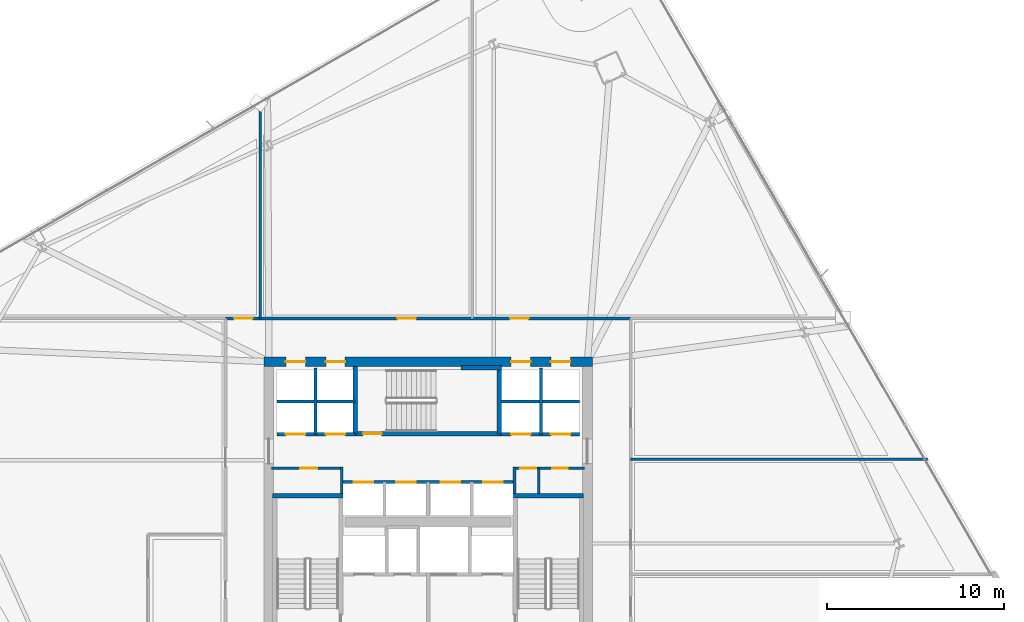
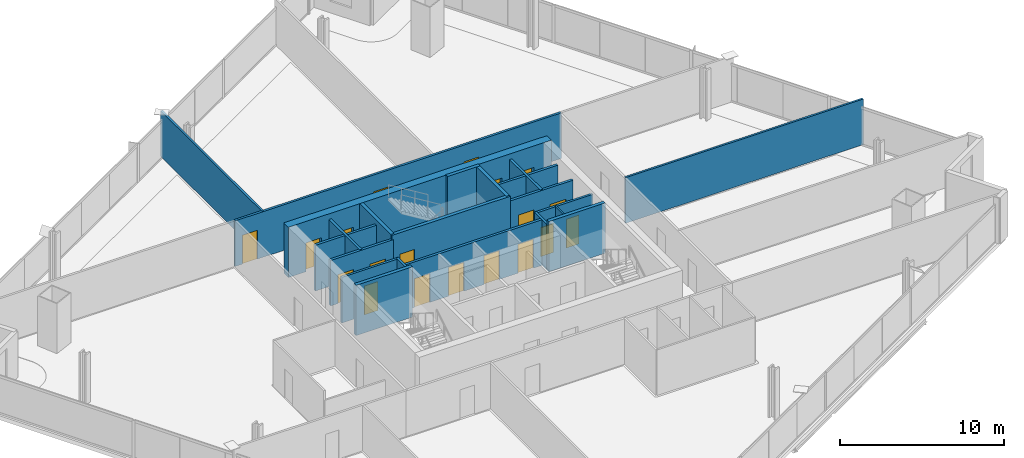
# One storey, part 25 of 33: 22 walls, 19 doors, 19 openings.
"""IFC4 building model written with IfcOpenShell, lengths in metres."""

from ifc_helpers import new_model, si_unit, direction, frame, frame_2d, origin, place, context, subcontext, project, spatial, rectangle, extrude, material, layer, layer_set, type_object, element, fill, save


model = new_model("IFC4")

# Units and contexts
model_context = context("Model", 3, precision=1e-05, world=origin(), true_north=direction((0.0, 1.0)))
body_context = subcontext(model_context, "Body", "Model", "MODEL_VIEW")
ifc_project = project(units=[si_unit("LENGTHUNIT", "METRE"), si_unit("AREAUNIT", "SQUARE_METRE"), si_unit("VOLUMEUNIT", "CUBIC_METRE"), si_unit("PLANEANGLEUNIT", "RADIAN"), si_unit("MASSUNIT", "GRAM", prefix="KILO")], contexts=[model_context])

# Site, building, storey
site_placement = place(None, origin())
site = spatial("IfcSite", under=ifc_project, at=site_placement, CompositionType="ELEMENT")
building_placement = place(site_placement, origin())
building = spatial("IfcBuilding", under=site, at=building_placement, Name="Haldenkirk Collegiate Tower", CompositionType="ELEMENT")
storey_placement = place(building_placement, frame((0.0, 0.0, 127.949951171875)))
storey = spatial("IfcBuildingStorey", under=building, at=storey_placement, Name="L31", CompositionType="ELEMENT", Elevation=127.949951171875)

# Wall, openings, doors
ifc_material_1 = material(Name="Concrete f'c 70 MPa", Category="concrete")
ifc_layer_1 = layer(ifc_material_1, 0.550048828125)
ifc_layer_set_1 = layer_set([ifc_layer_1], Name="Concrete f'c 70 MPa")
wall_type_1 = type_object("IfcWallType", Name="WL-CORE-550", PredefinedType="SHEAR", material=ifc_layer_set_1)
wall_1_placement = place(storey_placement, frame((26.72509765625, 34.0, 0.0), z_axis=(0.0, 0.0, 1.0), x_axis=(1.0, 0.0, 0.0)))
wall_1 = element("IfcWall", 1, at=wall_1_placement, inside=storey, type_object=wall_type_1, Name="L31 central core shear wall N", PredefinedType="SHEAR", context=body_context, shape_type="SweptSolid", body=[
    extrude(rectangle(XDim=18.5498046875, YDim=0.550048828125, at=frame_2d((9.27490234375, 0.0))), origin(), (0.0, 0.0, 1.0), 3.75),
])
opening_1_placement = place(wall_1_placement, frame((1.239990234375, 0.0, 0.0)))
opening_1 = element("IfcOpeningElement", 2, at=opening_1_placement, cuts=wall_1, Name="Opening LD-11", PredefinedType="OPENING", context=body_context, shape_type="SweptSolid", body=[
    extrude(rectangle(XDim=1.10009765625, YDim=2.14990234375, at=frame_2d((0.550048828125, 1.074951171875))), frame((0.0, 0.284912109375, 0.0), z_axis=(0.0, -1.0, 0.0), x_axis=(1.0, 0.0, 0.0)), (0.0, 0.0, 1.0), 0.570068359375),
])
opening_2_placement = place(wall_1_placement, frame((3.489990234375, 0.0, 0.0)))
opening_2 = element("IfcOpeningElement", 3, at=opening_2_placement, cuts=wall_1, Name="Opening LD-11", PredefinedType="OPENING", context=body_context, shape_type="SweptSolid", body=[
    extrude(rectangle(XDim=1.10009765625, YDim=2.14990234375, at=frame_2d((0.550048828125, 1.074951171875))), frame((0.0, 0.284912109375, 0.0), z_axis=(0.0, -1.0, 0.0), x_axis=(1.0, 0.0, 0.0)), (0.0, 0.0, 1.0), 0.570068359375),
])
opening_3_placement = place(wall_1_placement, frame((13.9599609375, 0.0, 0.0)))
opening_3 = element("IfcOpeningElement", 4, at=opening_3_placement, cuts=wall_1, Name="Opening LD-11", PredefinedType="OPENING", context=body_context, shape_type="SweptSolid", body=[
    extrude(rectangle(XDim=1.10009765625, YDim=2.14990234375, at=frame_2d((0.550048828125, 1.074951171875))), frame((0.0, 0.284912109375, 0.0), z_axis=(0.0, -1.0, 0.0), x_axis=(1.0, 0.0, 0.0)), (0.0, 0.0, 1.0), 0.570068359375),
])
opening_4_placement = place(wall_1_placement, frame((16.2099609375, 0.0, 0.0)))
opening_4 = element("IfcOpeningElement", 5, at=opening_4_placement, cuts=wall_1, Name="Opening LD-11", PredefinedType="OPENING", context=body_context, shape_type="SweptSolid", body=[
    extrude(rectangle(XDim=1.10009765625, YDim=2.14990234375, at=frame_2d((0.550048828125, 1.074951171875))), frame((0.0, 0.284912109375, 0.0), z_axis=(0.0, -1.0, 0.0), x_axis=(1.0, 0.0, 0.0)), (0.0, 0.0, 1.0), 0.570068359375),
])
ifc_material_2 = material(Name="Brushed architectural stainless steel", Category="steel")
ifc_layer_2 = layer(ifc_material_2, 0.06005859375)
ifc_layer_set_2 = layer_set([ifc_layer_2], Name="Brushed architectural stainless steel")
door_type_1 = type_object("IfcDoorType", Name="LD-PASS-1100", OperationType="NOTDEFINED", PredefinedType="DOOR", material=ifc_layer_set_2)
door_1_placement = place(opening_1_placement, origin())
door_1 = element("IfcDoor", 6, at=door_1_placement, inside=storey, type_object=door_type_1, Name="L31 Elevator PL3 sliding landing door", OperationType="SLIDING_TO_LEFT", OverallHeight=2.14990234375, OverallWidth=1.10009765625, PredefinedType="DOOR", context=body_context, shape_type="SweptSolid", body=[
    extrude(rectangle(XDim=1.10009765625, YDim=2.14990234375, at=frame_2d((0.550048828125, 1.074951171875))), frame((0.0, 0.02490234375, 0.0), z_axis=(0.0, -1.0, 0.0), x_axis=(1.0, 0.0, 0.0)), (0.0, 0.0, 1.0), 0.050048828125),
])
fill(opening_1, door_1)
door_2_placement = place(opening_2_placement, origin())
door_2 = element("IfcDoor", 7, at=door_2_placement, inside=storey, type_object=door_type_1, Name="L31 Elevator PL4 sliding landing door", OperationType="SLIDING_TO_LEFT", OverallHeight=2.14990234375, OverallWidth=1.10009765625, PredefinedType="DOOR", context=body_context, shape_type="SweptSolid", body=[
    extrude(rectangle(XDim=1.10009765625, YDim=2.14990234375, at=frame_2d((0.550048828125, 1.074951171875))), frame((0.0, 0.02490234375, 0.0), z_axis=(0.0, -1.0, 0.0), x_axis=(1.0, 0.0, 0.0)), (0.0, 0.0, 1.0), 0.050048828125),
])
fill(opening_2, door_2)
door_3_placement = place(opening_3_placement, origin())
door_3 = element("IfcDoor", 8, at=door_3_placement, inside=storey, type_object=door_type_1, Name="L31 Elevator PM3 sliding landing door", OperationType="SLIDING_TO_LEFT", OverallHeight=2.14990234375, OverallWidth=1.10009765625, PredefinedType="DOOR", context=body_context, shape_type="SweptSolid", body=[
    extrude(rectangle(XDim=1.10009765625, YDim=2.14990234375, at=frame_2d((0.550048828125, 1.074951171875))), frame((0.0, 0.02490234375, 0.0), z_axis=(0.0, -1.0, 0.0), x_axis=(1.0, 0.0, 0.0)), (0.0, 0.0, 1.0), 0.050048828125),
])
fill(opening_3, door_3)
door_4_placement = place(opening_4_placement, origin())
door_4 = element("IfcDoor", 9, at=door_4_placement, inside=storey, type_object=door_type_1, Name="L31 Elevator PM4 sliding landing door", OperationType="SLIDING_TO_LEFT", OverallHeight=2.14990234375, OverallWidth=1.10009765625, PredefinedType="DOOR", context=body_context, shape_type="SweptSolid", body=[
    extrude(rectangle(XDim=1.10009765625, YDim=2.14990234375, at=frame_2d((0.550048828125, 1.074951171875))), frame((0.0, 0.02490234375, 0.0), z_axis=(0.0, -1.0, 0.0), x_axis=(1.0, 0.0, 0.0)), (0.0, 0.0, 1.0), 0.050048828125),
])
fill(opening_4, door_4)

# Wall, opening, door
ifc_material_3 = material(Name="Acoustic fire-rated gypsum partition", Category="concrete")
ifc_layer_3 = layer(ifc_material_3, 0.159912109375)
ifc_layer_set_3 = layer_set([ifc_layer_3], Name="Acoustic fire-rated gypsum partition")
wall_type_2 = type_object("IfcWallType", Name="WL-INT-CORR-160", PredefinedType="PARTITIONING", material=ifc_layer_set_3)
wall_2_placement = place(storey_placement, frame((27.14990234375, 27.97998046875, 0.0), z_axis=(0.0, 0.0, 1.0), x_axis=(1.0, 0.0, 0.0)))
wall_2 = element("IfcWall", 10, at=wall_2_placement, inside=storey, type_object=wall_type_2, Name="L31 interior partition IW-L31-VCSW-N", PredefinedType="PARTITIONING", context=body_context, shape_type="SweptSolid", body=[
    extrude(rectangle(XDim=4.050048828125, YDim=0.159912109375, at=frame_2d((2.02490234375, 0.0))), origin(), (0.0, 0.0, 1.0), 3.400146484375),
])
opening_5_placement = place(wall_2_placement, frame((1.625, 0.0, 0.0)))
opening_5 = element("IfcOpeningElement", 11, at=opening_5_placement, cuts=wall_2, Name="Opening D-10", PredefinedType="OPENING", context=body_context, shape_type="SweptSolid", body=[
    extrude(rectangle(XDim=0.949951171875, YDim=2.14990234375, at=frame_2d((0.47509765625, 1.074951171875))), frame((0.0, 0.08984375, 0.0), z_axis=(0.0, -1.0, 0.0), x_axis=(1.0, 0.0, 0.0)), (0.0, 0.0, 1.0), 0.179931640625),
])
ifc_material_4 = material(Name="Solid-core architectural oak fire door", Category="wood")
ifc_layer_4 = layer(ifc_material_4, 0.06005859375)
ifc_layer_set_4 = layer_set([ifc_layer_4], Name="Solid-core architectural oak fire door")
door_type_2 = type_object("IfcDoorType", Name="DR-INT-FD60-950", OperationType="NOTDEFINED", PredefinedType="DOOR", material=ifc_layer_set_4)
door_5_placement = place(opening_5_placement, origin())
door_5 = element("IfcDoor", 12, at=door_5_placement, inside=storey, type_object=door_type_2, Name="L31 core tea pantry door", OperationType="SINGLE_SWING_RIGHT", OverallHeight=2.14990234375, OverallWidth=0.949951171875, PredefinedType="DOOR", context=body_context, shape_type="SweptSolid", body=[
    extrude(rectangle(XDim=0.949951171875, YDim=2.14990234375, at=frame_2d((0.47509765625, 1.074951171875))), frame((0.0, 0.02490234375, 0.0), z_axis=(0.0, -1.0, 0.0), x_axis=(1.0, 0.0, 0.0)), (0.0, 0.0, 1.0), 0.050048828125),
])
fill(opening_5, door_5)

# Wall
wall_3_placement = place(storey_placement, frame((31.1201171875, 26.5400390625, 0.0), z_axis=(0.0, 0.0, 1.0), x_axis=(0.0, 1.0, 0.0)))
element("IfcWall", 13, at=wall_3_placement, inside=storey, type_object=wall_type_2, Name="L31 interior partition IW-L31-VCSW-E", PredefinedType="PARTITIONING", context=body_context, shape_type="SweptSolid", body=[
    extrude(rectangle(XDim=1.510009765625, YDim=0.159912109375, at=frame_2d((0.7548828125, 0.0))), origin(), (0.0, 0.0, 1.0), 3.400146484375),
])

# Wall, openings, doors
wall_4_placement = place(storey_placement, frame((40.800048828125, 27.97998046875, 0.0), z_axis=(0.0, 0.0, 1.0), x_axis=(1.0, 0.0, 0.0)))
wall_4 = element("IfcWall", 14, at=wall_4_placement, inside=storey, type_object=wall_type_2, Name="L31 interior partition IW-L31-VCSE-N", PredefinedType="PARTITIONING", context=body_context, shape_type="SweptSolid", body=[
    extrude(rectangle(XDim=4.050048828125, YDim=0.159912109375, at=frame_2d((2.02490234375, 0.0))), origin(), (0.0, 0.0, 1.0), 3.400146484375),
])
opening_6_placement = place(wall_4_placement, frame((0.407470703125, 0.0, 0.0)))
opening_6 = element("IfcOpeningElement", 15, at=opening_6_placement, cuts=wall_4, Name="Opening D-11", PredefinedType="OPENING", context=body_context, shape_type="SweptSolid", body=[
    extrude(rectangle(XDim=0.89990234375, YDim=2.14990234375, at=frame_2d((0.449951171875, 1.074951171875))), frame((0.0, 0.08984375, 0.0), z_axis=(0.0, -1.0, 0.0), x_axis=(1.0, 0.0, 0.0)), (0.0, 0.0, 1.0), 0.179931640625),
])
opening_7_placement = place(wall_4_placement, frame((2.199951171875, 0.0, 0.0)))
opening_7 = element("IfcOpeningElement", 16, at=opening_7_placement, cuts=wall_4, Name="Opening D-11", PredefinedType="OPENING", context=body_context, shape_type="SweptSolid", body=[
    extrude(rectangle(XDim=0.89990234375, YDim=2.14990234375, at=frame_2d((0.449951171875, 1.074951171875))), frame((0.0, 0.08984375, 0.0), z_axis=(0.0, -1.0, 0.0), x_axis=(1.0, 0.0, 0.0)), (0.0, 0.0, 1.0), 0.179931640625),
])
ifc_layer_5 = layer(ifc_material_4, 0.06005859375)
ifc_layer_set_5 = layer_set([ifc_layer_5], Name="Solid-core architectural oak fire door")
door_type_3 = type_object("IfcDoorType", Name="DR-INT-FD60-900", OperationType="NOTDEFINED", PredefinedType="DOOR", material=ifc_layer_set_5)
door_6_placement = place(opening_6_placement, origin())
door_6 = element("IfcDoor", 17, at=door_6_placement, inside=storey, type_object=door_type_3, Name="L31 core copy room door", OperationType="SINGLE_SWING_LEFT", OverallHeight=2.14990234375, OverallWidth=0.89990234375, PredefinedType="DOOR", context=body_context, shape_type="SweptSolid", body=[
    extrude(rectangle(XDim=0.89990234375, YDim=2.14990234375, at=frame_2d((0.449951171875, 1.074951171875))), frame((0.0, 0.02490234375, 0.0), z_axis=(0.0, -1.0, 0.0), x_axis=(1.0, 0.0, 0.0)), (0.0, 0.0, 1.0), 0.050048828125),
])
fill(opening_6, door_6)
door_7_placement = place(opening_7_placement, origin())
door_7 = element("IfcDoor", 18, at=door_7_placement, inside=storey, type_object=door_type_3, Name="L31 core records store door", OperationType="SINGLE_SWING_RIGHT", OverallHeight=2.14990234375, OverallWidth=0.89990234375, PredefinedType="DOOR", context=body_context, shape_type="SweptSolid", body=[
    extrude(rectangle(XDim=0.89990234375, YDim=2.14990234375, at=frame_2d((0.449951171875, 1.074951171875))), frame((0.0, 0.02490234375, 0.0), z_axis=(0.0, -1.0, 0.0), x_axis=(1.0, 0.0, 0.0)), (0.0, 0.0, 1.0), 0.050048828125),
])
fill(opening_7, door_7)

# Wall
wall_5_placement = place(storey_placement, frame((40.8798828125, 26.5400390625, 0.0), z_axis=(0.0, 0.0, 1.0), x_axis=(0.0, 1.0, 0.0)))
element("IfcWall", 19, at=wall_5_placement, inside=storey, type_object=wall_type_2, Name="L31 interior partition IW-L31-VCSE-W", PredefinedType="PARTITIONING", context=body_context, shape_type="SweptSolid", body=[
    extrude(rectangle(XDim=1.510009765625, YDim=0.159912109375, at=frame_2d((0.7548828125, 0.0))), origin(), (0.0, 0.0, 1.0), 3.400146484375),
])

# Wall, openings, doors
wall_6_placement = place(storey_placement, frame((24.5, 36.449951171875, 0.0), z_axis=(0.0, 0.0, 1.0), x_axis=(1.0, 0.0, 0.0)))
wall_6 = element("IfcWall", 20, at=wall_6_placement, inside=storey, type_object=wall_type_2, Name="L31 interior partition IW-L31-CN", PredefinedType="PARTITIONING", context=body_context, shape_type="SweptSolid", body=[
    extrude(rectangle(XDim=23.0, YDim=0.159912109375, at=frame_2d((11.5, 0.0))), origin(), (0.0, 0.0, 1.0), 3.400146484375),
])
opening_8_placement = place(wall_6_placement, frame((0.530029296875, 0.0, 0.0)))
opening_8 = element("IfcOpeningElement", 21, at=opening_8_placement, cuts=wall_6, Name="Opening D-09", PredefinedType="OPENING", context=body_context, shape_type="SweptSolid", body=[
    extrude(rectangle(XDim=1.050048828125, YDim=2.14990234375, at=frame_2d((0.52490234375, 1.074951171875))), frame((0.0, 0.08984375, 0.0), z_axis=(0.0, -1.0, 0.0), x_axis=(1.0, 0.0, 0.0)), (0.0, 0.0, 1.0), 0.179931640625),
])
opening_9_placement = place(wall_6_placement, frame((9.7548828125, 0.0, 0.0)))
opening_9 = element("IfcOpeningElement", 22, at=opening_9_placement, cuts=wall_6, Name="Opening D-09", PredefinedType="OPENING", context=body_context, shape_type="SweptSolid", body=[
    extrude(rectangle(XDim=1.050048828125, YDim=2.14990234375, at=frame_2d((0.52490234375, 1.074951171875))), frame((0.0, 0.08984375, 0.0), z_axis=(0.0, -1.0, 0.0), x_axis=(1.0, 0.0, 0.0)), (0.0, 0.0, 1.0), 0.179931640625),
])
opening_10_placement = place(wall_6_placement, frame((16.12890625, 0.0, 0.0)))
opening_10 = element("IfcOpeningElement", 23, at=opening_10_placement, cuts=wall_6, Name="Opening D-09", PredefinedType="OPENING", context=body_context, shape_type="SweptSolid", body=[
    extrude(rectangle(XDim=1.050048828125, YDim=2.14990234375, at=frame_2d((0.52490234375, 1.074951171875))), frame((0.0, 0.08984375, 0.0), z_axis=(0.0, -1.0, 0.0), x_axis=(1.0, 0.0, 0.0)), (0.0, 0.0, 1.0), 0.179931640625),
])
ifc_layer_6 = layer(ifc_material_4, 0.06005859375)
ifc_layer_set_6 = layer_set([ifc_layer_6], Name="Solid-core architectural oak fire door")
door_type_4 = type_object("IfcDoorType", Name="DR-INT-FD60-1050", OperationType="NOTDEFINED", PredefinedType="DOOR", material=ifc_layer_set_6)
door_8_placement = place(opening_8_placement, origin())
door_8 = element("IfcDoor", 24, at=door_8_placement, inside=storey, type_object=door_type_4, Name="L31 Occupational Health Clinic 4 door", OperationType="SINGLE_SWING_LEFT", OverallHeight=2.14990234375, OverallWidth=1.050048828125, PredefinedType="DOOR", context=body_context, shape_type="SweptSolid", body=[
    extrude(rectangle(XDim=1.050048828125, YDim=2.14990234375, at=frame_2d((0.52490234375, 1.074951171875))), frame((0.0, 0.02490234375, 0.0), z_axis=(0.0, -1.0, 0.0), x_axis=(1.0, 0.0, 0.0)), (0.0, 0.0, 1.0), 0.050048828125),
])
fill(opening_8, door_8)
door_9_placement = place(opening_9_placement, origin())
door_9 = element("IfcDoor", 25, at=door_9_placement, inside=storey, type_object=door_type_4, Name="L31 Acoustics Testing Laboratory 5 door", OperationType="SINGLE_SWING_RIGHT", OverallHeight=2.14990234375, OverallWidth=1.050048828125, PredefinedType="DOOR", context=body_context, shape_type="SweptSolid", body=[
    extrude(rectangle(XDim=1.050048828125, YDim=2.14990234375, at=frame_2d((0.52490234375, 1.074951171875))), frame((0.0, 0.02490234375, 0.0), z_axis=(0.0, -1.0, 0.0), x_axis=(1.0, 0.0, 0.0)), (0.0, 0.0, 1.0), 0.050048828125),
])
fill(opening_9, door_9)
door_10_placement = place(opening_10_placement, origin())
door_10 = element("IfcDoor", 26, at=door_10_placement, inside=storey, type_object=door_type_4, Name="L31 Environmental Lab 6 door", OperationType="SINGLE_SWING_LEFT", OverallHeight=2.14990234375, OverallWidth=1.050048828125, PredefinedType="DOOR", context=body_context, shape_type="SweptSolid", body=[
    extrude(rectangle(XDim=1.050048828125, YDim=2.14990234375, at=frame_2d((0.52490234375, 1.074951171875))), frame((0.0, 0.02490234375, 0.0), z_axis=(0.0, -1.0, 0.0), x_axis=(1.0, 0.0, 0.0)), (0.0, 0.0, 1.0), 0.050048828125),
])
fill(opening_10, door_10)

# Walls
ifc_layer_7 = layer(ifc_material_3, 0.139892578125)
ifc_layer_set_7 = layer_set([ifc_layer_7], Name="Acoustic fire-rated gypsum partition")
wall_type_3 = type_object("IfcWallType", Name="WL-INT-DIV-140", PredefinedType="PARTITIONING", material=ifc_layer_set_7)
wall_7_placement = place(storey_placement, frame((26.5, 36.449951171875, 0.0), z_axis=(0.0, 0.0, 1.0), x_axis=(0.0, 1.0, 0.0)))
element("IfcWall", 27, at=wall_7_placement, inside=storey, type_object=wall_type_3, Name="L31 interior partition IW-L31-RN1", PredefinedType="PARTITIONING", context=body_context, shape_type="SweptSolid", body=[
    extrude(rectangle(XDim=12.360595703125, YDim=0.139892578125, at=frame_2d((6.18017578125, 0.0))), origin(), (0.0, 0.0, 1.0), 3.400146484375),
])
wall_8_placement = place(storey_placement, frame((47.449951171875, 28.5, 0.0), z_axis=(0.0, 0.0, 1.0), x_axis=(1.0, 0.0, 0.0)))
element("IfcWall", 28, at=wall_8_placement, inside=storey, type_object=wall_type_3, Name="L31 interior partition IW-L31-RE2", PredefinedType="PARTITIONING", context=body_context, shape_type="SweptSolid", body=[
    extrude(rectangle(XDim=16.77001953125, YDim=0.139892578125, at=frame_2d((8.385009765625, 0.0))), origin(), (0.0, 0.0, 1.0), 3.400146484375),
])

# Wall, openings, doors
ifc_material_5 = material(Name="Fire-rated gypsum shaftboard assembly", Category="concrete")
ifc_layer_8 = layer(ifc_material_5, 0.179931640625)
ifc_layer_set_8 = layer_set([ifc_layer_8], Name="Fire-rated gypsum shaftboard assembly")
wall_type_4 = type_object("IfcWallType", Name="WL-INT-SHAFT-180", PredefinedType="PARTITIONING", material=ifc_layer_set_8)
wall_9_placement = place(storey_placement, frame((27.449951171875, 29.89990234375, 0.0), z_axis=(0.0, 0.0, 1.0), x_axis=(1.0, 0.0, 0.0)))
wall_9 = element("IfcWall", 29, at=wall_9_placement, inside=storey, type_object=wall_type_4, Name="L31 interior partition IW-L31-PLS", PredefinedType="PARTITIONING", context=body_context, shape_type="SweptSolid", body=[
    extrude(rectangle(XDim=4.429931640625, YDim=0.179931640625, at=frame_2d((2.21484375, 0.0))), origin(), (0.0, 0.0, 1.0), 3.400146484375),
])
opening_11_placement = place(wall_9_placement, frame((0.514892578125, 0.0, 0.0)))
opening_11 = element("IfcOpeningElement", 30, at=opening_11_placement, cuts=wall_9, Name="Opening LD-11", PredefinedType="OPENING", context=body_context, shape_type="SweptSolid", body=[
    extrude(rectangle(XDim=1.10009765625, YDim=2.14990234375, at=frame_2d((0.550048828125, 1.074951171875))), frame((0.0, 0.099853515625, 0.0), z_axis=(0.0, -1.0, 0.0), x_axis=(1.0, 0.0, 0.0)), (0.0, 0.0, 1.0), 0.199951171875),
])
opening_12_placement = place(wall_9_placement, frame((2.764892578125, 0.0, 0.0)))
opening_12 = element("IfcOpeningElement", 31, at=opening_12_placement, cuts=wall_9, Name="Opening LD-11", PredefinedType="OPENING", context=body_context, shape_type="SweptSolid", body=[
    extrude(rectangle(XDim=1.10009765625, YDim=2.14990234375, at=frame_2d((0.550048828125, 1.074951171875))), frame((0.0, 0.099853515625, 0.0), z_axis=(0.0, -1.0, 0.0), x_axis=(1.0, 0.0, 0.0)), (0.0, 0.0, 1.0), 0.199951171875),
])
door_11_placement = place(opening_11_placement, origin())
door_11 = element("IfcDoor", 32, at=door_11_placement, inside=storey, type_object=door_type_1, Name="L31 Elevator PL1 sliding landing door", OperationType="SLIDING_TO_LEFT", OverallHeight=2.14990234375, OverallWidth=1.10009765625, PredefinedType="DOOR", context=body_context, shape_type="SweptSolid", body=[
    extrude(rectangle(XDim=1.10009765625, YDim=2.14990234375, at=frame_2d((0.550048828125, 1.074951171875))), frame((0.0, 0.02490234375, 0.0), z_axis=(0.0, -1.0, 0.0), x_axis=(1.0, 0.0, 0.0)), (0.0, 0.0, 1.0), 0.050048828125),
])
fill(opening_11, door_11)
door_12_placement = place(opening_12_placement, origin())
door_12 = element("IfcDoor", 33, at=door_12_placement, inside=storey, type_object=door_type_1, Name="L31 Elevator PL2 sliding landing door", OperationType="SLIDING_TO_LEFT", OverallHeight=2.14990234375, OverallWidth=1.10009765625, PredefinedType="DOOR", context=body_context, shape_type="SweptSolid", body=[
    extrude(rectangle(XDim=1.10009765625, YDim=2.14990234375, at=frame_2d((0.550048828125, 1.074951171875))), frame((0.0, 0.02490234375, 0.0), z_axis=(0.0, -1.0, 0.0), x_axis=(1.0, 0.0, 0.0)), (0.0, 0.0, 1.0), 0.050048828125),
])
fill(opening_12, door_12)

# Walls
wall_10_placement = place(storey_placement, frame((27.449951171875, 31.75, 0.0), z_axis=(0.0, 0.0, 1.0), x_axis=(1.0, 0.0, 0.0)))
element("IfcWall", 34, at=wall_10_placement, inside=storey, type_object=wall_type_4, Name="L31 interior partition IW-L31-PLM", PredefinedType="PARTITIONING", context=body_context, shape_type="SweptSolid", body=[
    extrude(rectangle(XDim=4.429931640625, YDim=0.179931640625, at=frame_2d((2.21484375, 0.0))), origin(), (0.0, 0.0, 1.0), 3.400146484375),
])
wall_11_placement = place(storey_placement, frame((29.6298828125, 29.89990234375, 0.0), z_axis=(0.0, 0.0, 1.0), x_axis=(0.0, 1.0, 0.0)))
element("IfcWall", 35, at=wall_11_placement, inside=storey, type_object=wall_type_4, Name="L31 interior partition IW-L31-PLV", PredefinedType="PARTITIONING", context=body_context, shape_type="SweptSolid", body=[
    extrude(rectangle(XDim=3.75, YDim=0.179931640625, at=frame_2d((1.875, 0.0))), origin(), (0.0, 0.0, 1.0), 3.400146484375),
])

# Wall, openings, doors
wall_12_placement = place(storey_placement, frame((40.1201171875, 29.89990234375, 0.0), z_axis=(0.0, 0.0, 1.0), x_axis=(1.0, 0.0, 0.0)))
wall_12 = element("IfcWall", 36, at=wall_12_placement, inside=storey, type_object=wall_type_4, Name="L31 interior partition IW-L31-PMS", PredefinedType="PARTITIONING", context=body_context, shape_type="SweptSolid", body=[
    extrude(rectangle(XDim=4.429931640625, YDim=0.179931640625, at=frame_2d((2.21484375, 0.0))), origin(), (0.0, 0.0, 1.0), 3.400146484375),
])
opening_13_placement = place(wall_12_placement, frame((0.56494140625, 0.0, 0.0)))
opening_13 = element("IfcOpeningElement", 37, at=opening_13_placement, cuts=wall_12, Name="Opening LD-11", PredefinedType="OPENING", context=body_context, shape_type="SweptSolid", body=[
    extrude(rectangle(XDim=1.10009765625, YDim=2.14990234375, at=frame_2d((0.550048828125, 1.074951171875))), frame((0.0, 0.099853515625, 0.0), z_axis=(0.0, -1.0, 0.0), x_axis=(1.0, 0.0, 0.0)), (0.0, 0.0, 1.0), 0.199951171875),
])
opening_14_placement = place(wall_12_placement, frame((2.81494140625, 0.0, 0.0)))
opening_14 = element("IfcOpeningElement", 38, at=opening_14_placement, cuts=wall_12, Name="Opening LD-11", PredefinedType="OPENING", context=body_context, shape_type="SweptSolid", body=[
    extrude(rectangle(XDim=1.10009765625, YDim=2.14990234375, at=frame_2d((0.550048828125, 1.074951171875))), frame((0.0, 0.099853515625, 0.0), z_axis=(0.0, -1.0, 0.0), x_axis=(1.0, 0.0, 0.0)), (0.0, 0.0, 1.0), 0.199951171875),
])
door_13_placement = place(opening_13_placement, origin())
door_13 = element("IfcDoor", 39, at=door_13_placement, inside=storey, type_object=door_type_1, Name="L31 Elevator PM1 sliding landing door", OperationType="SLIDING_TO_LEFT", OverallHeight=2.14990234375, OverallWidth=1.10009765625, PredefinedType="DOOR", context=body_context, shape_type="SweptSolid", body=[
    extrude(rectangle(XDim=1.10009765625, YDim=2.14990234375, at=frame_2d((0.550048828125, 1.074951171875))), frame((0.0, 0.02490234375, 0.0), z_axis=(0.0, -1.0, 0.0), x_axis=(1.0, 0.0, 0.0)), (0.0, 0.0, 1.0), 0.050048828125),
])
fill(opening_13, door_13)
door_14_placement = place(opening_14_placement, origin())
door_14 = element("IfcDoor", 40, at=door_14_placement, inside=storey, type_object=door_type_1, Name="L31 Elevator PM2 sliding landing door", OperationType="SLIDING_TO_LEFT", OverallHeight=2.14990234375, OverallWidth=1.10009765625, PredefinedType="DOOR", context=body_context, shape_type="SweptSolid", body=[
    extrude(rectangle(XDim=1.10009765625, YDim=2.14990234375, at=frame_2d((0.550048828125, 1.074951171875))), frame((0.0, 0.02490234375, 0.0), z_axis=(0.0, -1.0, 0.0), x_axis=(1.0, 0.0, 0.0)), (0.0, 0.0, 1.0), 0.050048828125),
])
fill(opening_14, door_14)

# Walls
wall_13_placement = place(storey_placement, frame((40.1201171875, 31.75, 0.0), z_axis=(0.0, 0.0, 1.0), x_axis=(1.0, 0.0, 0.0)))
element("IfcWall", 41, at=wall_13_placement, inside=storey, type_object=wall_type_4, Name="L31 interior partition IW-L31-PMM", PredefinedType="PARTITIONING", context=body_context, shape_type="SweptSolid", body=[
    extrude(rectangle(XDim=4.429931640625, YDim=0.179931640625, at=frame_2d((2.21484375, 0.0))), origin(), (0.0, 0.0, 1.0), 3.400146484375),
])
wall_14_placement = place(storey_placement, frame((42.3701171875, 29.89990234375, 0.0), z_axis=(0.0, 0.0, 1.0), x_axis=(0.0, 1.0, 0.0)))
element("IfcWall", 42, at=wall_14_placement, inside=storey, type_object=wall_type_4, Name="L31 interior partition IW-L31-PMV", PredefinedType="PARTITIONING", context=body_context, shape_type="SweptSolid", body=[
    extrude(rectangle(XDim=3.75, YDim=0.179931640625, at=frame_2d((1.875, 0.0))), origin(), (0.0, 0.0, 1.0), 3.400146484375),
])

# Wall, openings, doors
wall_15_placement = place(storey_placement, frame((31.199951171875, 27.199951171875, 0.0), z_axis=(0.0, 0.0, 1.0), x_axis=(1.0, 0.0, 0.0)))
wall_15 = element("IfcWall", 43, at=wall_15_placement, inside=storey, type_object=wall_type_4, Name="L31 interior partition IW-L31-PHN", PredefinedType="PARTITIONING", context=body_context, shape_type="SweptSolid", body=[
    extrude(rectangle(XDim=9.60009765625, YDim=0.179931640625, at=frame_2d((4.800048828125, 0.0))), origin(), (0.0, 0.0, 1.0), 3.400146484375),
])
opening_15_placement = place(wall_15_placement, frame((0.590087890625, 0.0, 0.0)))
opening_15 = element("IfcOpeningElement", 44, at=opening_15_placement, cuts=wall_15, Name="Opening LD-11", PredefinedType="OPENING", context=body_context, shape_type="SweptSolid", body=[
    extrude(rectangle(XDim=1.10009765625, YDim=2.14990234375, at=frame_2d((0.550048828125, 1.074951171875))), frame((0.0, 0.099853515625, 0.0), z_axis=(0.0, -1.0, 0.0), x_axis=(1.0, 0.0, 0.0)), (0.0, 0.0, 1.0), 0.199951171875),
])
opening_16_placement = place(wall_15_placement, frame((2.989990234375, 0.0, 0.0)))
opening_16 = element("IfcOpeningElement", 45, at=opening_16_placement, cuts=wall_15, Name="Opening LD-11", PredefinedType="OPENING", context=body_context, shape_type="SweptSolid", body=[
    extrude(rectangle(XDim=1.10009765625, YDim=2.14990234375, at=frame_2d((0.550048828125, 1.074951171875))), frame((0.0, 0.099853515625, 0.0), z_axis=(0.0, -1.0, 0.0), x_axis=(1.0, 0.0, 0.0)), (0.0, 0.0, 1.0), 0.199951171875),
])
opening_17_placement = place(wall_15_placement, frame((5.510009765625, 0.0, 0.0)))
opening_17 = element("IfcOpeningElement", 46, at=opening_17_placement, cuts=wall_15, Name="Opening LD-11", PredefinedType="OPENING", context=body_context, shape_type="SweptSolid", body=[
    extrude(rectangle(XDim=1.10009765625, YDim=2.14990234375, at=frame_2d((0.550048828125, 1.074951171875))), frame((0.0, 0.099853515625, 0.0), z_axis=(0.0, -1.0, 0.0), x_axis=(1.0, 0.0, 0.0)), (0.0, 0.0, 1.0), 0.199951171875),
])
opening_18_placement = place(wall_15_placement, frame((7.909912109375, 0.0, 0.0)))
opening_18 = element("IfcOpeningElement", 47, at=opening_18_placement, cuts=wall_15, Name="Opening LD-11", PredefinedType="OPENING", context=body_context, shape_type="SweptSolid", body=[
    extrude(rectangle(XDim=1.10009765625, YDim=2.14990234375, at=frame_2d((0.550048828125, 1.074951171875))), frame((0.0, 0.099853515625, 0.0), z_axis=(0.0, -1.0, 0.0), x_axis=(1.0, 0.0, 0.0)), (0.0, 0.0, 1.0), 0.199951171875),
])
door_15_placement = place(opening_15_placement, origin())
door_15 = element("IfcDoor", 48, at=door_15_placement, inside=storey, type_object=door_type_1, Name="L31 Elevator PH1 sliding landing door", OperationType="SLIDING_TO_LEFT", OverallHeight=2.14990234375, OverallWidth=1.10009765625, PredefinedType="DOOR", context=body_context, shape_type="SweptSolid", body=[
    extrude(rectangle(XDim=1.10009765625, YDim=2.14990234375, at=frame_2d((0.550048828125, 1.074951171875))), frame((0.0, 0.02490234375, 0.0), z_axis=(0.0, -1.0, 0.0), x_axis=(1.0, 0.0, 0.0)), (0.0, 0.0, 1.0), 0.050048828125),
])
fill(opening_15, door_15)
door_16_placement = place(opening_16_placement, origin())
door_16 = element("IfcDoor", 49, at=door_16_placement, inside=storey, type_object=door_type_1, Name="L31 Elevator PH2 sliding landing door", OperationType="SLIDING_TO_LEFT", OverallHeight=2.14990234375, OverallWidth=1.10009765625, PredefinedType="DOOR", context=body_context, shape_type="SweptSolid", body=[
    extrude(rectangle(XDim=1.10009765625, YDim=2.14990234375, at=frame_2d((0.550048828125, 1.074951171875))), frame((0.0, 0.02490234375, 0.0), z_axis=(0.0, -1.0, 0.0), x_axis=(1.0, 0.0, 0.0)), (0.0, 0.0, 1.0), 0.050048828125),
])
fill(opening_16, door_16)
door_17_placement = place(opening_17_placement, origin())
door_17 = element("IfcDoor", 50, at=door_17_placement, inside=storey, type_object=door_type_1, Name="L31 Elevator PH3 sliding landing door", OperationType="SLIDING_TO_LEFT", OverallHeight=2.14990234375, OverallWidth=1.10009765625, PredefinedType="DOOR", context=body_context, shape_type="SweptSolid", body=[
    extrude(rectangle(XDim=1.10009765625, YDim=2.14990234375, at=frame_2d((0.550048828125, 1.074951171875))), frame((0.0, 0.02490234375, 0.0), z_axis=(0.0, -1.0, 0.0), x_axis=(1.0, 0.0, 0.0)), (0.0, 0.0, 1.0), 0.050048828125),
])
fill(opening_17, door_17)
door_18_placement = place(opening_18_placement, origin())
door_18 = element("IfcDoor", 51, at=door_18_placement, inside=storey, type_object=door_type_1, Name="L31 Elevator PH4 sliding landing door", OperationType="SLIDING_TO_LEFT", OverallHeight=2.14990234375, OverallWidth=1.10009765625, PredefinedType="DOOR", context=body_context, shape_type="SweptSolid", body=[
    extrude(rectangle(XDim=1.10009765625, YDim=2.14990234375, at=frame_2d((0.550048828125, 1.074951171875))), frame((0.0, 0.02490234375, 0.0), z_axis=(0.0, -1.0, 0.0), x_axis=(1.0, 0.0, 0.0)), (0.0, 0.0, 1.0), 0.050048828125),
])
fill(opening_18, door_18)

# Walls
ifc_layer_9 = layer(ifc_material_3, 0.1201171875)
ifc_layer_set_9 = layer_set([ifc_layer_9], Name="Acoustic fire-rated gypsum partition")
wall_type_5 = type_object("IfcWallType", Name="WL-INT-WET-120", PredefinedType="PARTITIONING", material=ifc_layer_set_9)
wall_16_placement = place(storey_placement, frame((42.25, 26.5400390625, 0.0), z_axis=(0.0, 0.0, 1.0), x_axis=(0.0, 1.0, 0.0)))
element("IfcWall", 52, at=wall_16_placement, inside=storey, type_object=wall_type_5, Name="L31 interior partition IW-L31-VCSE-M", PredefinedType="PARTITIONING", context=body_context, shape_type="SweptSolid", body=[
    extrude(rectangle(XDim=1.43994140625, YDim=0.1201171875, at=frame_2d((0.719970703125, 0.0))), origin(), (0.0, 0.0, 1.0), 3.400146484375),
])
ifc_material_6 = material(Name="Concrete f'c 55 MPa", Category="concrete")
ifc_layer_10 = layer(ifc_material_6, 0.239990234375)
ifc_layer_set_10 = layer_set([ifc_layer_10], Name="Concrete f'c 55 MPa")
wall_type_6 = type_object("IfcWallType", Name="WL-SHAFT-240", PredefinedType="SHEAR", material=ifc_layer_set_10)
for number, where, z_axis, x_axis, name in (
    (53, (27.2099609375, 26.419921875, 0.0), (0.0, 0.0, 1.0), (1.0, 0.0, 0.0), "L31 stair shaft shear wall SW-L31-ST1N"),
    (54, (40.81005859375, 26.419921875, 0.0), (0.0, 0.0, 1.0), (1.0, 0.0, 0.0), "L31 stair shaft shear wall SW-L31-ST2N"),
):
    element("IfcWall", number, at=place(storey_placement, frame(where, z_axis=z_axis, x_axis=x_axis)), inside=storey, type_object=wall_type_6, Name=name, PredefinedType="SHEAR", context=body_context, shape_type="SweptSolid", body=[
        extrude(rectangle(XDim=3.97998046875, YDim=0.239990234375, at=frame_2d((1.989990234375, 0.0))), origin(), (0.0, 0.0, 1.0), 3.75),
    ])

# Wall, opening, door
wall_17_placement = place(storey_placement, frame((31.760009765625, 29.929931640625, 0.0), z_axis=(0.0, 0.0, 1.0), x_axis=(1.0, 0.0, 0.0)))
wall_17 = element("IfcWall", 55, at=wall_17_placement, inside=storey, type_object=wall_type_6, Name="L31 stair shaft shear wall SW-L31-ST3S", PredefinedType="SHEAR", context=body_context, shape_type="SweptSolid", body=[
    extrude(rectangle(XDim=8.3798828125, YDim=0.239990234375, at=frame_2d((4.18994140625, 0.0))), origin(), (0.0, 0.0, 1.0), 3.75),
])
opening_19_placement = place(wall_17_placement, frame((0.56494140625, 0.0, 0.0)))
opening_19 = element("IfcOpeningElement", 56, at=opening_19_placement, cuts=wall_17, Name="Opening D-01", PredefinedType="OPENING", context=body_context, shape_type="SweptSolid", body=[
    extrude(rectangle(XDim=1.050048828125, YDim=2.14990234375, at=frame_2d((0.52490234375, 1.074951171875))), frame((0.0, 0.1298828125, 0.0), z_axis=(0.0, -1.0, 0.0), x_axis=(1.0, 0.0, 0.0)), (0.0, 0.0, 1.0), 0.260009765625),
])
ifc_material_7 = material(Name="Galvanized fire-rated hollow steel door", Category="steel")
ifc_layer_11 = layer(ifc_material_7, 0.06005859375)
ifc_layer_set_11 = layer_set([ifc_layer_11], Name="Galvanized fire-rated hollow steel door")
door_type_5 = type_object("IfcDoorType", Name="DR-STAIR-FD90-1050", OperationType="NOTDEFINED", PredefinedType="DOOR", material=ifc_layer_set_11)
door_19_placement = place(opening_19_placement, origin())
door_19 = element("IfcDoor", 57, at=door_19_placement, inside=storey, type_object=door_type_5, Name="L31 lift lobby Stair 3 door", OperationType="SINGLE_SWING_LEFT", OverallHeight=2.14990234375, OverallWidth=1.050048828125, PredefinedType="DOOR", context=body_context, shape_type="SweptSolid", body=[
    extrude(rectangle(XDim=1.050048828125, YDim=2.14990234375, at=frame_2d((0.52490234375, 1.074951171875))), frame((0.0, 0.02490234375, 0.0), z_axis=(0.0, -1.0, 0.0), x_axis=(1.0, 0.0, 0.0)), (0.0, 0.0, 1.0), 0.050048828125),
])
fill(opening_19, door_19)

# Walls
wall_18_placement = place(storey_placement, frame((31.8798828125, 29.929931640625, 0.0), z_axis=(0.0, 0.0, 1.0), x_axis=(0.0, 1.0, 0.0)))
element("IfcWall", 58, at=wall_18_placement, inside=storey, type_object=wall_type_6, Name="L31 stair shaft shear wall SW-L31-ST3W", PredefinedType="SHEAR", context=body_context, shape_type="SweptSolid", body=[
    extrude(rectangle(XDim=3.7900390625, YDim=0.239990234375, at=frame_2d((1.89501953125, 0.0))), origin(), (0.0, 0.0, 1.0), 3.75),
])
wall_19_placement = place(storey_placement, frame((40.02001953125, 29.929931640625, 0.0), z_axis=(0.0, 0.0, 1.0), x_axis=(0.0, 1.0, 0.0)))
element("IfcWall", 59, at=wall_19_placement, inside=storey, type_object=wall_type_6, Name="L31 stair shaft shear wall SW-L31-ST3E", PredefinedType="SHEAR", context=body_context, shape_type="SweptSolid", body=[
    extrude(rectangle(XDim=3.85009765625, YDim=0.239990234375, at=frame_2d((1.925048828125, 0.0))), origin(), (0.0, 0.0, 1.0), 3.75),
])
wall_20_placement = place(storey_placement, frame((37.85009765625, 33.659912109375, 0.0), z_axis=(0.0, 0.0, 1.0), x_axis=(1.0, 0.0, 0.0)))
element("IfcWall", 60, at=wall_20_placement, inside=storey, type_object=wall_type_6, Name="L31 stair shaft shear wall SW-L31-ST3N", PredefinedType="SHEAR", context=body_context, shape_type="SweptSolid", body=[
    extrude(rectangle(XDim=2.289794921875, YDim=0.239990234375, at=frame_2d((1.14501953125, 0.0))), origin(), (0.0, 0.0, 1.0), 3.75),
])

save(model, "model.ifc")
